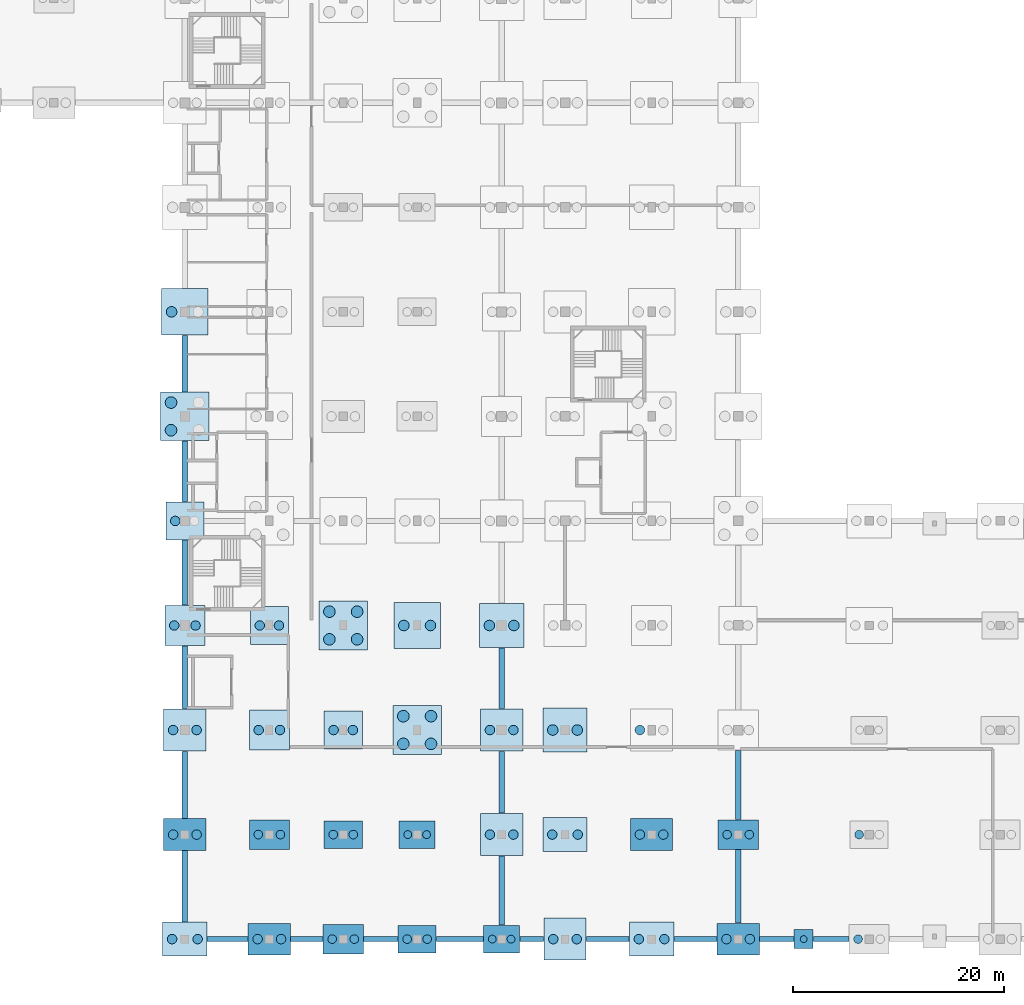
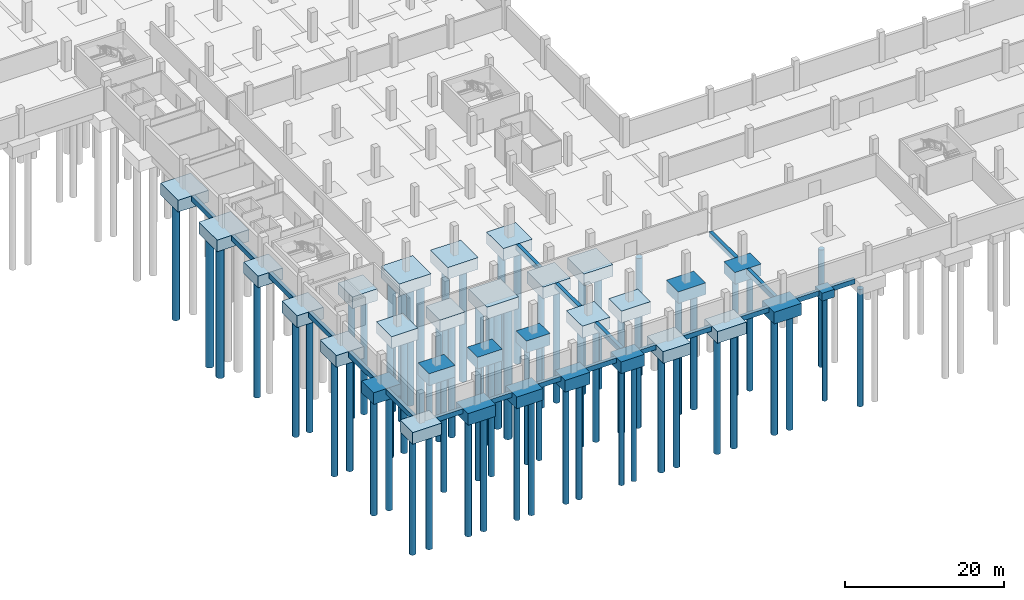
# One storey, part 1 of 30: 66 piles, 51 footings.
"""IFC4 building model written with IfcOpenShell, lengths in metres."""

from ifc_helpers import new_model, si_unit, direction, frame, origin, origin_2d, place, context, subcontext, project, spatial, rectangle, circle, extrude, material, layer, layer_set, material_profile, profile_set, type_object, element, save


model = new_model("IFC4")

# Units and contexts
model_context = context("Model", 3, precision=1e-05, world=origin(), true_north=direction((0.0, 1.0)))
body_context = subcontext(model_context, "Body", "Model", "MODEL_VIEW")
ifc_project = project(units=[si_unit("LENGTHUNIT", "METRE"), si_unit("AREAUNIT", "SQUARE_METRE"), si_unit("VOLUMEUNIT", "CUBIC_METRE"), si_unit("PLANEANGLEUNIT", "RADIAN"), si_unit("MASSUNIT", "GRAM", prefix="KILO")], contexts=[model_context])

# Site, building, storey
site_placement = place(None, origin())
site = spatial("IfcSite", under=ifc_project, at=site_placement, CompositionType="ELEMENT")
building_placement = place(site_placement, origin())
building = spatial("IfcBuilding", under=site, at=building_placement, Name="Sillaruma Civic Art Gallery", CompositionType="ELEMENT")
storey_placement = place(building_placement, frame((0.0, 0.0, -9.179931640625)))
storey = spatial("IfcBuildingStorey", under=building, at=storey_placement, Name="B02", CompositionType="ELEMENT", Elevation=-9.179931640625)

# Footings
ifc_material = material(Name="Concrete H35 (35 MPa)", Category="concrete")
ifc_material_profile_1 = material_profile(ifc_material, rectangle(XDim=0.449951171875, YDim=0.75, at=origin_2d()), Name="RCB450x750")
ifc_profile_set_1 = profile_set([ifc_material_profile_1], Name="Concrete H35 (35 MPa)")
footing_type_1 = type_object("IfcFootingType", Name="FTG-FB-450x750", PredefinedType="FOOTING_BEAM", material=ifc_profile_set_1)
footing_1_placement = place(storey_placement, frame((64.1201171875, 0.0, -0.375), z_axis=(1.0, 0.0, 0.0), x_axis=(0.0, 1.0, 0.0)))
element("IfcFooting", 1, at=footing_1_placement, inside=storey, type_object=footing_type_1, Name="Foundation Tie Beam FB-02 (1:F-G:1)", PredefinedType="FOOTING_BEAM", context=body_context, shape_type="SweptSolid", body=[
    extrude(rectangle(XDim=0.449951171875, YDim=0.75, at=origin_2d()), origin(), (0.0, 0.0, 1.0), 3.85986328125),
])
footing_2_placement = place(storey_placement, frame((72.02001953125, 0.0, -0.375), z_axis=(1.0, 0.0, 0.0), x_axis=(0.0, 1.0, 0.0)))
element("IfcFooting", 2, at=footing_2_placement, inside=storey, type_object=footing_type_1, Name="Foundation Tie Beam FB-02 (1:G-H:1)", PredefinedType="FOOTING_BEAM", context=body_context, shape_type="SweptSolid", body=[
    extrude(rectangle(XDim=0.449951171875, YDim=0.75, at=origin_2d()), origin(), (0.0, 0.0, 1.0), 3.06005859375),
])
footing_3_placement = place(storey_placement, frame((78.919921875, 0.0, -0.375), z_axis=(1.0, 0.0, 0.0), x_axis=(0.0, 1.0, 0.0)))
element("IfcFooting", 3, at=footing_3_placement, inside=storey, type_object=footing_type_1, Name="Foundation Tie Beam FB-02 (1:H-J:1)", PredefinedType="FOOTING_BEAM", context=body_context, shape_type="SweptSolid", body=[
    extrude(rectangle(XDim=0.449951171875, YDim=0.75, at=origin_2d()), origin(), (0.0, 0.0, 1.0), 3.260009765625),
])
footing_4_placement = place(storey_placement, frame((85.820068359375, 0.0, -0.375), z_axis=(1.0, 0.0, 0.0), x_axis=(0.0, 1.0, 0.0)))
element("IfcFooting", 4, at=footing_4_placement, inside=storey, type_object=footing_type_1, Name="Foundation Tie Beam FB-02 (1:J-K:1)", PredefinedType="FOOTING_BEAM", context=body_context, shape_type="SweptSolid", body=[
    extrude(rectangle(XDim=0.449951171875, YDim=0.75, at=origin_2d()), origin(), (0.0, 0.0, 1.0), 4.4599609375),
])
footing_5_placement = place(storey_placement, frame((93.719970703125, 0.0, -0.375), z_axis=(1.0, 0.0, 0.0), x_axis=(0.0, 1.0, 0.0)))
element("IfcFooting", 5, at=footing_5_placement, inside=storey, type_object=footing_type_1, Name="Foundation Tie Beam FB-02 (1:K-L:1)", PredefinedType="FOOTING_BEAM", context=body_context, shape_type="SweptSolid", body=[
    extrude(rectangle(XDim=0.449951171875, YDim=0.75, at=origin_2d()), origin(), (0.0, 0.0, 1.0), 2.260009765625),
])
footing_6_placement = place(storey_placement, frame((100.02001953125, 0.0, -0.375), z_axis=(1.0, 0.0, 0.0), x_axis=(0.0, 1.0, 0.0)))
element("IfcFooting", 6, at=footing_6_placement, inside=storey, type_object=footing_type_1, Name="Foundation Tie Beam FB-02 (1:L-M:1)", PredefinedType="FOOTING_BEAM", context=body_context, shape_type="SweptSolid", body=[
    extrude(rectangle(XDim=0.449951171875, YDim=0.75, at=origin_2d()), origin(), (0.0, 0.0, 1.0), 4.06005859375),
])
footing_7_placement = place(storey_placement, frame((108.320068359375, 0.0, -0.375), z_axis=(1.0, 0.0, 0.0), x_axis=(0.0, 1.0, 0.0)))
element("IfcFooting", 7, at=footing_7_placement, inside=storey, type_object=footing_type_1, Name="Foundation Tie Beam FB-02 (1:M-N:1)", PredefinedType="FOOTING_BEAM", context=body_context, shape_type="SweptSolid", body=[
    extrude(rectangle(XDim=0.449951171875, YDim=0.75, at=origin_2d()), origin(), (0.0, 0.0, 1.0), 4.059814453125),
])
footing_8_placement = place(storey_placement, frame((116.419921875, 0.0, -0.375), z_axis=(1.0, 0.0, 0.0), x_axis=(0.0, 1.0, 0.0)))
element("IfcFooting", 8, at=footing_8_placement, inside=storey, type_object=footing_type_1, Name="Foundation Tie Beam FB-02 (1:N-P:A)", PredefinedType="FOOTING_BEAM", context=body_context, shape_type="SweptSolid", body=[
    extrude(rectangle(XDim=0.449951171875, YDim=0.75, at=origin_2d()), origin(), (0.0, 0.0, 1.0), 3.260009765625),
])
footing_9_placement = place(storey_placement, frame((121.52001953125, 0.0, -0.375), z_axis=(1.0, 0.0, 0.0), x_axis=(0.0, 1.0, 0.0)))
element("IfcFooting", 9, at=footing_9_placement, inside=storey, type_object=footing_type_1, Name="Foundation Tie Beam FB-02 (1:N-P:B)", PredefinedType="FOOTING_BEAM", context=body_context, shape_type="SweptSolid", body=[
    extrude(rectangle(XDim=0.449951171875, YDim=0.75, at=origin_2d()), origin(), (0.0, 0.0, 1.0), 3.35986328125),
])
ifc_material_profile_2 = material_profile(ifc_material, rectangle(XDim=0.5, YDim=0.800048828125, at=origin_2d()), Name="RCB500x800")
ifc_profile_set_2 = profile_set([ifc_material_profile_2], Name="Concrete H35 (35 MPa)")
footing_type_2 = type_object("IfcFootingType", Name="FTG-FB-500x800", PredefinedType="FOOTING_BEAM", material=ifc_profile_set_2)
footing_10_placement = place(storey_placement, frame((62.0, 1.6201171875, -0.400146484375), z_axis=(0.0, 1.0, 0.0), x_axis=(-1.0, 0.0, 0.0)))
element("IfcFooting", 10, at=footing_10_placement, inside=storey, type_object=footing_type_2, Name="Foundation Tie Beam FB-01 (F:1-2)", PredefinedType="FOOTING_BEAM", context=body_context, shape_type="SweptSolid", body=[
    extrude(rectangle(XDim=0.5, YDim=0.800048828125, at=origin_2d()), origin(), (0.0, 0.0, 1.0), 6.759765625),
])
footing_11_placement = place(storey_placement, frame((62.0, 11.419921875, -0.400146484375), z_axis=(0.0, 1.0, 0.0), x_axis=(-1.0, 0.0, 0.0)))
element("IfcFooting", 11, at=footing_11_placement, inside=storey, type_object=footing_type_2, Name="Foundation Tie Beam FB-01 (F:2-3)", PredefinedType="FOOTING_BEAM", context=body_context, shape_type="SweptSolid", body=[
    extrude(rectangle(XDim=0.5, YDim=0.800048828125, at=origin_2d()), origin(), (0.0, 0.0, 1.0), 6.360107421875),
])
footing_12_placement = place(storey_placement, frame((62.0, 21.820068359375, -0.400146484375), z_axis=(0.0, 1.0, 0.0), x_axis=(-1.0, 0.0, 0.0)))
element("IfcFooting", 12, at=footing_12_placement, inside=storey, type_object=footing_type_2, Name="Foundation Tie Beam FB-01 (F:3-4)", PredefinedType="FOOTING_BEAM", context=body_context, shape_type="SweptSolid", body=[
    extrude(rectangle(XDim=0.5, YDim=0.800048828125, at=origin_2d()), origin(), (0.0, 0.0, 1.0), 5.9599609375),
])
footing_13_placement = place(storey_placement, frame((62.0, 31.6201171875, -0.400146484375), z_axis=(0.0, 1.0, 0.0), x_axis=(-1.0, 0.0, 0.0)))
element("IfcFooting", 13, at=footing_13_placement, inside=storey, type_object=footing_type_2, Name="Foundation Tie Beam FB-01 (F:4-5)", PredefinedType="FOOTING_BEAM", context=body_context, shape_type="SweptSolid", body=[
    extrude(rectangle(XDim=0.5, YDim=0.800048828125, at=origin_2d()), origin(), (0.0, 0.0, 1.0), 6.159912109375),
])
footing_14_placement = place(storey_placement, frame((62.0, 41.419921875, -0.400146484375), z_axis=(0.0, 1.0, 0.0), x_axis=(-1.0, 0.0, 0.0)))
element("IfcFooting", 14, at=footing_14_placement, inside=storey, type_object=footing_type_2, Name="Foundation Tie Beam FB-01 (F:5-6)", PredefinedType="FOOTING_BEAM", context=body_context, shape_type="SweptSolid", body=[
    extrude(rectangle(XDim=0.5, YDim=0.800048828125, at=origin_2d()), origin(), (0.0, 0.0, 1.0), 5.760009765625),
])
footing_15_placement = place(storey_placement, frame((62.0, 51.820068359375, -0.400146484375), z_axis=(0.0, 1.0, 0.0), x_axis=(-1.0, 0.0, 0.0)))
element("IfcFooting", 15, at=footing_15_placement, inside=storey, type_object=footing_type_2, Name="Foundation Tie Beam FB-01 (F:6-7)", PredefinedType="FOOTING_BEAM", context=body_context, shape_type="SweptSolid", body=[
    extrude(rectangle(XDim=0.5, YDim=0.800048828125, at=origin_2d()), origin(), (0.0, 0.0, 1.0), 5.35986328125),
])
footing_16_placement = place(storey_placement, frame((92.0, 1.320068359375, -0.400146484375), z_axis=(0.0, 1.0, 0.0), x_axis=(-1.0, 0.0, 0.0)))
element("IfcFooting", 16, at=footing_16_placement, inside=storey, type_object=footing_type_2, Name="Foundation Tie Beam FB-01 (K:1-2)", PredefinedType="FOOTING_BEAM", context=body_context, shape_type="SweptSolid", body=[
    extrude(rectangle(XDim=0.5, YDim=0.800048828125, at=origin_2d()), origin(), (0.0, 0.0, 1.0), 6.559814453125),
])
footing_17_placement = place(storey_placement, frame((92.0, 11.919921875, -0.400146484375), z_axis=(0.0, 1.0, 0.0), x_axis=(-1.0, 0.0, 0.0)))
element("IfcFooting", 17, at=footing_17_placement, inside=storey, type_object=footing_type_2, Name="Foundation Tie Beam FB-01 (K:2-3)", PredefinedType="FOOTING_BEAM", context=body_context, shape_type="SweptSolid", body=[
    extrude(rectangle(XDim=0.5, YDim=0.800048828125, at=origin_2d()), origin(), (0.0, 0.0, 1.0), 5.860107421875),
])
footing_18_placement = place(storey_placement, frame((92.0, 21.820068359375, -0.400146484375), z_axis=(0.0, 1.0, 0.0), x_axis=(-1.0, 0.0, 0.0)))
element("IfcFooting", 18, at=footing_18_placement, inside=storey, type_object=footing_type_2, Name="Foundation Tie Beam FB-01 (K:3-4)", PredefinedType="FOOTING_BEAM", context=body_context, shape_type="SweptSolid", body=[
    extrude(rectangle(XDim=0.5, YDim=0.800048828125, at=origin_2d()), origin(), (0.0, 0.0, 1.0), 5.760009765625),
])
footing_19_placement = place(storey_placement, frame((114.39990234375, 1.52001953125, -0.400146484375), z_axis=(0.0, 1.0, 0.0), x_axis=(-1.0, 0.0, 0.0)))
element("IfcFooting", 19, at=footing_19_placement, inside=storey, type_object=footing_type_2, Name="Foundation Tie Beam FB-01 (N:1-2)", PredefinedType="FOOTING_BEAM", context=body_context, shape_type="SweptSolid", body=[
    extrude(rectangle(XDim=0.5, YDim=0.800048828125, at=origin_2d()), origin(), (0.0, 0.0, 1.0), 6.9599609375),
])
footing_20_placement = place(storey_placement, frame((114.39990234375, 11.320068359375, -0.400146484375), z_axis=(0.0, 1.0, 0.0), x_axis=(-1.0, 0.0, 0.0)))
element("IfcFooting", 20, at=footing_20_placement, inside=storey, type_object=footing_type_2, Name="Foundation Tie Beam FB-01 (N:2-3)", PredefinedType="FOOTING_BEAM", context=body_context, shape_type="SweptSolid", body=[
    extrude(rectangle(XDim=0.5, YDim=0.800048828125, at=origin_2d()), origin(), (0.0, 0.0, 1.0), 6.559814453125),
])
ifc_layer_1 = layer(ifc_material, 1.199951171875, Name="Concrete H35 (35 MPa)")
ifc_layer_set_1 = layer_set([ifc_layer_1], Name="Concrete H35 (35 MPa)")
footing_type_3 = type_object("IfcFootingType", Name="FTG-PAD-18x18", PredefinedType="PAD_FOOTING", material=ifc_layer_set_1)
footing_21_placement = place(storey_placement, frame((120.60009765625, 0.0, -1.2001953125), z_axis=(0.0, 0.0, 1.0), x_axis=(1.0, 0.0, 0.0)))
element("IfcFooting", 21, at=footing_21_placement, inside=storey, type_object=footing_type_3, Name="Shoring Pile Cap PF-03 (04)", PredefinedType="PAD_FOOTING", context=body_context, shape_type="SweptSolid", body=[
    extrude(rectangle(XDim=1.800048828125, YDim=1.800048828125, at=origin_2d()), origin(), (0.0, 0.0, 1.0), 1.199951171875),
])
ifc_layer_2 = layer(ifc_material, 1.800048828125, Name="Concrete H35 (35 MPa)")
ifc_layer_set_2 = layer_set([ifc_layer_2], Name="Concrete H35 (35 MPa)")
footing_type_4 = type_object("IfcFootingType", Name="FTG-PC-34x26", PredefinedType="PILE_CAP", material=ifc_layer_set_2)
for number, where, z_axis, x_axis, name in (
    (22, (84.0, 9.89990234375, -1.80029296875), (0.0, 0.0, 1.0), (1.0, 0.0, 0.0), "Pile Cap PC-12 (J2)"),
    (23, (92.0, 0.0, -1.80029296875), (0.0, 0.0, 1.0), (1.0, 0.0, 0.0), "Pile Cap PC-12 (K1)"),
):
    element("IfcFooting", number, at=place(storey_placement, frame(where, z_axis=z_axis, x_axis=x_axis)), inside=storey, type_object=footing_type_4, Name=name, PredefinedType="PILE_CAP", context=body_context, shape_type="SweptSolid", body=[
        extrude(rectangle(XDim=3.39990234375, YDim=2.60009765625, at=origin_2d()), origin(), (0.0, 0.0, 1.0), 1.800048828125),
    ])
ifc_layer_3 = layer(ifc_material, 1.800048828125, Name="Concrete H35 (35 MPa)")
ifc_layer_set_3 = layer_set([ifc_layer_3], Name="Concrete H35 (35 MPa)")
footing_type_5 = type_object("IfcFootingType", Name="FTG-PC-36x26", PredefinedType="PILE_CAP", material=ifc_layer_set_3)
for number, where, z_axis, x_axis, name in (
    (24, (77.0, 9.89990234375, -1.80029296875), (0.0, 0.0, 1.0), (1.0, 0.0, 0.0), "Pile Cap PC-11 (H2)"),
    (25, (84.0, 0.0, -1.80029296875), (0.0, 0.0, 1.0), (1.0, 0.0, 0.0), "Pile Cap PC-11 (J1)"),
):
    element("IfcFooting", number, at=place(storey_placement, frame(where, z_axis=z_axis, x_axis=x_axis)), inside=storey, type_object=footing_type_5, Name=name, PredefinedType="PILE_CAP", context=body_context, shape_type="SweptSolid", body=[
        extrude(rectangle(XDim=3.60009765625, YDim=2.60009765625, at=origin_2d()), origin(), (0.0, 0.0, 1.0), 1.800048828125),
    ])
ifc_layer_4 = layer(ifc_material, 1.800048828125, Name="Concrete H35 (35 MPa)")
ifc_layer_set_4 = layer_set([ifc_layer_4], Name="Concrete H35 (35 MPa)")
footing_type_6 = type_object("IfcFootingType", Name="FTG-PC-36x36", PredefinedType="PILE_CAP", material=ifc_layer_set_4)
for number, where, z_axis, x_axis, name in (
    (26, (62.0, 39.60009765625, -1.80029296875), (0.0, 0.0, 1.0), (1.0, 0.0, 0.0), "Pile Cap PC-06 (F5)"),
    (27, (70.0, 29.699951171875, -1.80029296875), (0.0, 0.0, 1.0), (1.0, 0.0, 0.0), "Pile Cap PC-06 (G4)"),
    (28, (77.0, 19.800048828125, -1.80029296875), (0.0, 0.0, 1.0), (1.0, 0.0, 0.0), "Pile Cap PC-06 (H3)"),
):
    element("IfcFooting", number, at=place(storey_placement, frame(where, z_axis=z_axis, x_axis=x_axis)), inside=storey, type_object=footing_type_6, Name=name, PredefinedType="PILE_CAP", context=body_context, shape_type="SweptSolid", body=[
        extrude(rectangle(XDim=3.60009765625, YDim=3.60009765625, at=origin_2d()), origin(), (0.0, 0.0, 1.0), 1.800048828125),
    ])
ifc_layer_5 = layer(ifc_material, 1.800048828125, Name="Concrete H35 (35 MPa)")
ifc_layer_set_5 = layer_set([ifc_layer_5], Name="Concrete H35 (35 MPa)")
footing_type_7 = type_object("IfcFootingType", Name="FTG-PC-38x28", PredefinedType="PILE_CAP", material=ifc_layer_set_5)
for number, where, z_axis, x_axis, name in (
    (29, (70.0, 9.89990234375, -1.80029296875), (0.0, 0.0, 1.0), (1.0, 0.0, 0.0), "Pile Cap PC-10 (G2)"),
    (30, (77.0, 0.0, -1.80029296875), (0.0, 0.0, 1.0), (1.0, 0.0, 0.0), "Pile Cap PC-10 (H1)"),
    (31, (114.39990234375, 9.89990234375, -1.80029296875), (0.0, 0.0, 1.0), (1.0, 0.0, 0.0), "Pile Cap PC-10 (N2)"),
):
    element("IfcFooting", number, at=place(storey_placement, frame(where, z_axis=z_axis, x_axis=x_axis)), inside=storey, type_object=footing_type_7, Name=name, PredefinedType="PILE_CAP", context=body_context, shape_type="SweptSolid", body=[
        extrude(rectangle(XDim=3.800048828125, YDim=2.800048828125, at=origin_2d()), origin(), (0.0, 0.0, 1.0), 1.800048828125),
    ])
ifc_layer_6 = layer(ifc_material, 1.800048828125, Name="Concrete H35 (35 MPa)")
ifc_layer_set_6 = layer_set([ifc_layer_6], Name="Concrete H35 (35 MPa)")
footing_type_8 = type_object("IfcFootingType", Name="FTG-PC-38x38", PredefinedType="PILE_CAP", material=ifc_layer_set_6)
for number, where, z_axis, x_axis, name in (
    (32, (62.0, 29.699951171875, -1.80029296875), (0.0, 0.0, 1.0), (1.0, 0.0, 0.0), "Pile Cap PC-05 (F4)"),
    (33, (70.0, 19.800048828125, -1.80029296875), (0.0, 0.0, 1.0), (1.0, 0.0, 0.0), "Pile Cap PC-05 (G3)"),
):
    element("IfcFooting", number, at=place(storey_placement, frame(where, z_axis=z_axis, x_axis=x_axis)), inside=storey, type_object=footing_type_8, Name=name, PredefinedType="PILE_CAP", context=body_context, shape_type="SweptSolid", body=[
        extrude(rectangle(XDim=3.800048828125, YDim=3.800048828125, at=origin_2d()), origin(), (0.0, 0.0, 1.0), 1.800048828125),
    ])
ifc_layer_7 = layer(ifc_material, 1.800048828125, Name="Concrete H35 (35 MPa)")
ifc_layer_set_7 = layer_set([ifc_layer_7], Name="Concrete H35 (35 MPa)")
footing_type_9 = type_object("IfcFootingType", Name="FTG-PC-40x30", PredefinedType="PILE_CAP", material=ifc_layer_set_7)
for number, where, z_axis, x_axis, name in (
    (34, (62.0, 9.89990234375, -1.80029296875), (0.0, 0.0, 1.0), (1.0, 0.0, 0.0), "Pile Cap PC-09 (F2)"),
    (35, (70.0, 0.0, -1.80029296875), (0.0, 0.0, 1.0), (1.0, 0.0, 0.0), "Pile Cap PC-09 (G1)"),
    (36, (106.199951171875, 9.89990234375, -1.80029296875), (0.0, 0.0, 1.0), (1.0, 0.0, 0.0), "Pile Cap PC-09 (M2)"),
    (37, (114.39990234375, 0.0, -1.80029296875), (0.0, 0.0, 1.0), (1.0, 0.0, 0.0), "Pile Cap PC-09 (N1)"),
):
    element("IfcFooting", number, at=place(storey_placement, frame(where, z_axis=z_axis, x_axis=x_axis)), inside=storey, type_object=footing_type_9, Name=name, PredefinedType="PILE_CAP", context=body_context, shape_type="SweptSolid", body=[
        extrude(rectangle(XDim=4.0, YDim=3.0, at=origin_2d()), origin(), (0.0, 0.0, 1.0), 1.800048828125),
    ])
ifc_layer_8 = layer(ifc_material, 1.800048828125, Name="Concrete H35 (35 MPa)")
ifc_layer_set_8 = layer_set([ifc_layer_8], Name="Concrete H35 (35 MPa)")
footing_type_10 = type_object("IfcFootingType", Name="FTG-PC-40x40", PredefinedType="PILE_CAP", material=ifc_layer_set_8)
for number, where, z_axis, x_axis, name in (
    (38, (62.0, 19.800048828125, -1.80029296875), (0.0, 0.0, 1.0), (1.0, 0.0, 0.0), "Pile Cap PC-04 (F3)"),
    (39, (92.0, 9.89990234375, -1.80029296875), (0.0, 0.0, 1.0), (1.0, 0.0, 0.0), "Pile Cap PC-04 (K2)"),
    (40, (92.0, 19.800048828125, -1.80029296875), (0.0, 0.0, 1.0), (1.0, 0.0, 0.0), "Pile Cap PC-04 (K3)"),
    (41, (98.0, 0.0, -1.80029296875), (0.0, 0.0, 1.0), (1.0, 0.0, 0.0), "Pile Cap PC-04 (L1)"),
):
    element("IfcFooting", number, at=place(storey_placement, frame(where, z_axis=z_axis, x_axis=x_axis)), inside=storey, type_object=footing_type_10, Name=name, PredefinedType="PILE_CAP", context=body_context, shape_type="SweptSolid", body=[
        extrude(rectangle(XDim=4.0, YDim=4.0, at=origin_2d()), origin(), (0.0, 0.0, 1.0), 1.800048828125),
    ])
ifc_layer_9 = layer(ifc_material, 1.800048828125, Name="Concrete H35 (35 MPa)")
ifc_layer_set_9 = layer_set([ifc_layer_9], Name="Concrete H35 (35 MPa)")
footing_type_11 = type_object("IfcFootingType", Name="FTG-PC-42x32", PredefinedType="PILE_CAP", material=ifc_layer_set_9)
for number, where, z_axis, x_axis, name in (
    (42, (62.0, 0.0, -1.80029296875), (0.0, 0.0, 1.0), (1.0, 0.0, 0.0), "Pile Cap PC-08 (F1)"),
    (43, (98.0, 9.89990234375, -1.80029296875), (0.0, 0.0, 1.0), (1.0, 0.0, 0.0), "Pile Cap PC-08 (L2)"),
    (44, (106.199951171875, 0.0, -1.80029296875), (0.0, 0.0, 1.0), (1.0, 0.0, 0.0), "Pile Cap PC-08 (M1)"),
):
    element("IfcFooting", number, at=place(storey_placement, frame(where, z_axis=z_axis, x_axis=x_axis)), inside=storey, type_object=footing_type_11, Name=name, PredefinedType="PILE_CAP", context=body_context, shape_type="SweptSolid", body=[
        extrude(rectangle(XDim=4.199951171875, YDim=3.199951171875, at=origin_2d()), origin(), (0.0, 0.0, 1.0), 1.800048828125),
    ])
ifc_layer_10 = layer(ifc_material, 1.800048828125, Name="Concrete H35 (35 MPa)")
ifc_layer_set_10 = layer_set([ifc_layer_10], Name="Concrete H35 (35 MPa)")
footing_type_12 = type_object("IfcFootingType", Name="FTG-PC-42x42", PredefinedType="PILE_CAP", material=ifc_layer_set_10)
for number, where, z_axis, x_axis, name in (
    (45, (92.0, 29.699951171875, -1.80029296875), (0.0, 0.0, 1.0), (1.0, 0.0, 0.0), "Pile Cap PC-03 (K4)"),
    (46, (98.0, 19.800048828125, -1.80029296875), (0.0, 0.0, 1.0), (1.0, 0.0, 0.0), "Pile Cap PC-03 (L3)"),
):
    element("IfcFooting", number, at=place(storey_placement, frame(where, z_axis=z_axis, x_axis=x_axis)), inside=storey, type_object=footing_type_12, Name=name, PredefinedType="PILE_CAP", context=body_context, shape_type="SweptSolid", body=[
        extrude(rectangle(XDim=4.199951171875, YDim=4.199951171875, at=origin_2d()), origin(), (0.0, 0.0, 1.0), 1.800048828125),
    ])
ifc_layer_11 = layer(ifc_material, 1.800048828125, Name="Concrete H35 (35 MPa)")
ifc_layer_set_11 = layer_set([ifc_layer_11], Name="Concrete H35 (35 MPa)")
footing_type_13 = type_object("IfcFootingType", Name="FTG-PC-44x44", PredefinedType="PILE_CAP", material=ifc_layer_set_11)
for number, where, z_axis, x_axis, name in (
    (47, (62.0, 59.39990234375, -1.80029296875), (0.0, 0.0, 1.0), (1.0, 0.0, 0.0), "Pile Cap PC-02 (F7)"),
    (48, (84.0, 29.699951171875, -1.80029296875), (0.0, 0.0, 1.0), (1.0, 0.0, 0.0), "Pile Cap PC-02 (J4)"),
):
    element("IfcFooting", number, at=place(storey_placement, frame(where, z_axis=z_axis, x_axis=x_axis)), inside=storey, type_object=footing_type_13, Name=name, PredefinedType="PILE_CAP", context=body_context, shape_type="SweptSolid", body=[
        extrude(rectangle(XDim=4.39990234375, YDim=4.39990234375, at=origin_2d()), origin(), (0.0, 0.0, 1.0), 1.800048828125),
    ])
ifc_layer_12 = layer(ifc_material, 1.800048828125, Name="Concrete H35 (35 MPa)")
ifc_layer_set_12 = layer_set([ifc_layer_12], Name="Concrete H35 (35 MPa)")
footing_type_14 = type_object("IfcFootingType", Name="FTG-PC-46x46", PredefinedType="PILE_CAP", material=ifc_layer_set_12)
for number, where, z_axis, x_axis, name in (
    (49, (62.0, 49.5, -1.80029296875), (0.0, 0.0, 1.0), (1.0, 0.0, 0.0), "Pile Cap PC-01 (F6)"),
    (50, (77.0, 29.699951171875, -1.80029296875), (0.0, 0.0, 1.0), (1.0, 0.0, 0.0), "Pile Cap PC-01 (H4)"),
    (51, (84.0, 19.800048828125, -1.80029296875), (0.0, 0.0, 1.0), (1.0, 0.0, 0.0), "Pile Cap PC-01 (J3)"),
):
    element("IfcFooting", number, at=place(storey_placement, frame(where, z_axis=z_axis, x_axis=x_axis)), inside=storey, type_object=footing_type_14, Name=name, PredefinedType="PILE_CAP", context=body_context, shape_type="SweptSolid", body=[
        extrude(rectangle(XDim=4.60009765625, YDim=4.60009765625, at=origin_2d()), origin(), (0.0, 0.0, 1.0), 1.800048828125),
    ])

# Piles
ifc_material_profile_3 = material_profile(ifc_material, circle(Radius=0.5, at=origin_2d()), Name="PILE1000")
ifc_profile_set_3 = profile_set([ifc_material_profile_3], Name="Concrete H35 (35 MPa)")
pile_type_1 = type_object("IfcPileType", Name="PIL-BORED-PILE1000", PredefinedType="BORED", material=ifc_profile_set_3)
for number, where, z_axis, x_axis, name in (
    (52, (60.739990234375, 59.39990234375, -1.800048828125), (0.0, 0.0, -1.0), (1.0, 0.0, 0.0), "Bored Pile PL-B1000 (F7-1)"),
    (53, (82.739990234375, 29.699951171875, -1.800048828125), (0.0, 0.0, -1.0), (1.0, 0.0, 0.0), "Bored Pile PL-B1000 (J4-1)"),
    (54, (85.260009765625, 29.699951171875, -1.800048828125), (0.0, 0.0, -1.0), (1.0, 0.0, 0.0), "Bored Pile PL-B1000 (J4-2)"),
    (55, (90.840087890625, 29.699951171875, -1.800048828125), (0.0, 0.0, -1.0), (1.0, 0.0, 0.0), "Bored Pile PL-B1000 (K4-1)"),
    (56, (93.159912109375, 29.699951171875, -1.800048828125), (0.0, 0.0, -1.0), (1.0, 0.0, 0.0), "Bored Pile PL-B1000 (K4-2)"),
    (57, (96.840087890625, 19.800048828125, -1.800048828125), (0.0, 0.0, -1.0), (1.0, 0.0, 0.0), "Bored Pile PL-B1000 (L3-1)"),
    (58, (99.159912109375, 19.800048828125, -1.800048828125), (0.0, 0.0, -1.0), (1.0, 0.0, 0.0), "Bored Pile PL-B1000 (L3-2)"),
):
    element("IfcPile", number, at=place(storey_placement, frame(where, z_axis=z_axis, x_axis=x_axis)), inside=storey, type_object=pile_type_1, Name=name, PredefinedType="BORED", context=body_context, shape_type="SweptSolid", body=[
        extrude(circle(Radius=0.5, at=origin_2d()), origin(), (0.0, 0.0, 1.0), 18.0),
    ])
ifc_material_profile_4 = material_profile(ifc_material, circle(Radius=0.550048828125, at=origin_2d()), Name="PILE1100")
ifc_profile_set_4 = profile_set([ifc_material_profile_4], Name="Concrete H35 (35 MPa)")
pile_type_2 = type_object("IfcPileType", Name="PIL-BORED-PILE1100", PredefinedType="BORED", material=ifc_profile_set_4)
for number, where, z_axis, x_axis, name in (
    (59, (60.68994140625, 48.18994140625, -1.800048828125), (0.0, 0.0, -1.0), (1.0, 0.0, 0.0), "Bored Pile PL-B1100 (F6-1)"),
    (60, (60.68994140625, 50.81005859375, -1.800048828125), (0.0, 0.0, -1.0), (1.0, 0.0, 0.0), "Bored Pile PL-B1100 (F6-3)"),
    (61, (75.68994140625, 28.389892578125, -1.800048828125), (0.0, 0.0, -1.0), (1.0, 0.0, 0.0), "Bored Pile PL-B1100 (H4-1)"),
    (62, (78.31005859375, 28.389892578125, -1.800048828125), (0.0, 0.0, -1.0), (1.0, 0.0, 0.0), "Bored Pile PL-B1100 (H4-2)"),
    (63, (75.68994140625, 31.010009765625, -1.800048828125), (0.0, 0.0, -1.0), (1.0, 0.0, 0.0), "Bored Pile PL-B1100 (H4-3)"),
    (64, (78.31005859375, 31.010009765625, -1.800048828125), (0.0, 0.0, -1.0), (1.0, 0.0, 0.0), "Bored Pile PL-B1100 (H4-4)"),
    (65, (82.68994140625, 18.489990234375, -1.800048828125), (0.0, 0.0, -1.0), (1.0, 0.0, 0.0), "Bored Pile PL-B1100 (J3-1)"),
    (66, (85.31005859375, 18.489990234375, -1.800048828125), (0.0, 0.0, -1.0), (1.0, 0.0, 0.0), "Bored Pile PL-B1100 (J3-2)"),
    (67, (82.68994140625, 21.110107421875, -1.800048828125), (0.0, 0.0, -1.0), (1.0, 0.0, 0.0), "Bored Pile PL-B1100 (J3-3)"),
    (68, (85.31005859375, 21.110107421875, -1.800048828125), (0.0, 0.0, -1.0), (1.0, 0.0, 0.0), "Bored Pile PL-B1100 (J3-4)"),
):
    element("IfcPile", number, at=place(storey_placement, frame(where, z_axis=z_axis, x_axis=x_axis)), inside=storey, type_object=pile_type_2, Name=name, PredefinedType="BORED", context=body_context, shape_type="SweptSolid", body=[
        extrude(circle(Radius=0.550048828125, at=origin_2d()), origin(), (0.0, 0.0, 1.0), 20.0),
    ])
ifc_material_profile_5 = material_profile(ifc_material, circle(Radius=0.3701171875, at=origin_2d()), Name="PILE740")
ifc_profile_set_5 = profile_set([ifc_material_profile_5], Name="Concrete H35 (35 MPa)")
pile_type_3 = type_object("IfcPileType", Name="PIL-BORED-PILE740", PredefinedType="BORED", material=ifc_profile_set_5)
for number, where, z_axis, x_axis, name in (
    (69, (83.110107421875, 9.89990234375, -1.800048828125), (0.0, 0.0, -1.0), (1.0, 0.0, 0.0), "Bored Pile PL-B740 (J2-1)"),
    (70, (84.889892578125, 9.89990234375, -1.800048828125), (0.0, 0.0, -1.0), (1.0, 0.0, 0.0), "Bored Pile PL-B740 (J2-2)"),
    (71, (91.110107421875, 0.0, -1.800048828125), (0.0, 0.0, -1.0), (1.0, 0.0, 0.0), "Bored Pile PL-B740 (K1-1)"),
    (72, (92.889892578125, 0.0, -1.800048828125), (0.0, 0.0, -1.0), (1.0, 0.0, 0.0), "Bored Pile PL-B740 (K1-2)"),
):
    element("IfcPile", number, at=place(storey_placement, frame(where, z_axis=z_axis, x_axis=x_axis)), inside=storey, type_object=pile_type_3, Name=name, PredefinedType="BORED", context=body_context, shape_type="SweptSolid", body=[
        extrude(circle(Radius=0.3701171875, at=origin_2d()), origin(), (0.0, 0.0, 1.0), 18.0),
    ])
ifc_material_profile_6 = material_profile(ifc_material, circle(Radius=0.409912109375, at=origin_2d()), Name="PILE820")
ifc_profile_set_6 = profile_set([ifc_material_profile_6], Name="Concrete H35 (35 MPa)")
pile_type_4 = type_object("IfcPileType", Name="PIL-BORED-PILE820", PredefinedType="BORED", material=ifc_profile_set_6)
for number, where, z_axis, x_axis, name in (
    (73, (68.949951171875, 9.89990234375, -1.800048828125), (0.0, 0.0, -1.0), (1.0, 0.0, 0.0), "Bored Pile PL-B820 (G2-1)"),
    (74, (71.050048828125, 9.89990234375, -1.800048828125), (0.0, 0.0, -1.0), (1.0, 0.0, 0.0), "Bored Pile PL-B820 (G2-2)"),
    (75, (75.949951171875, 0.0, -1.800048828125), (0.0, 0.0, -1.0), (1.0, 0.0, 0.0), "Bored Pile PL-B820 (H1-1)"),
    (76, (78.050048828125, 0.0, -1.800048828125), (0.0, 0.0, -1.0), (1.0, 0.0, 0.0), "Bored Pile PL-B820 (H1-2)"),
    (77, (76.050048828125, 9.89990234375, -1.800048828125), (0.0, 0.0, -1.0), (1.0, 0.0, 0.0), "Bored Pile PL-B820 (H2-1)"),
    (78, (77.949951171875, 9.89990234375, -1.800048828125), (0.0, 0.0, -1.0), (1.0, 0.0, 0.0), "Bored Pile PL-B820 (H2-2)"),
    (79, (83.050048828125, 0.0, -1.800048828125), (0.0, 0.0, -1.0), (1.0, 0.0, 0.0), "Bored Pile PL-B820 (J1-1)"),
    (80, (84.949951171875, 0.0, -1.800048828125), (0.0, 0.0, -1.0), (1.0, 0.0, 0.0), "Bored Pile PL-B820 (J1-2)"),
    (81, (113.35009765625, 9.89990234375, -1.800048828125), (0.0, 0.0, -1.0), (1.0, 0.0, 0.0), "Bored Pile PL-B820 (N2-1)"),
    (82, (115.449951171875, 9.89990234375, -1.800048828125), (0.0, 0.0, -1.0), (1.0, 0.0, 0.0), "Bored Pile PL-B820 (N2-2)"),
    (83, (125.75, 0.0, -1.800048828125), (0.0, 0.0, -1.0), (1.0, 0.0, 0.0), "Bored Pile PL-B820 (P1-1)"),
    (84, (125.85009765625, 9.89990234375, -1.800048828125), (0.0, 0.0, -1.0), (1.0, 0.0, 0.0), "Bored Pile PL-B820 (P2-1)"),
):
    element("IfcPile", number, at=place(storey_placement, frame(where, z_axis=z_axis, x_axis=x_axis)), inside=storey, type_object=pile_type_4, Name=name, PredefinedType="BORED", context=body_context, shape_type="SweptSolid", body=[
        extrude(circle(Radius=0.409912109375, at=origin_2d()), origin(), (0.0, 0.0, 1.0), 18.0),
    ])
ifc_material_profile_7 = material_profile(ifc_material, circle(Radius=0.449951171875, at=origin_2d()), Name="PILE900")
ifc_profile_set_7 = profile_set([ifc_material_profile_7], Name="Concrete H35 (35 MPa)")
pile_type_5 = type_object("IfcPileType", Name="PIL-BORED-PILE900", PredefinedType="BORED", material=ifc_profile_set_7)
for number, where, z_axis, x_axis, name in (
    (85, (60.7900390625, 0.0, -1.800048828125), (0.0, 0.0, -1.0), (1.0, 0.0, 0.0), "Bored Pile PL-B900 (F1-1)"),
    (86, (63.2099609375, 0.0, -1.800048828125), (0.0, 0.0, -1.0), (1.0, 0.0, 0.0), "Bored Pile PL-B900 (F1-2)"),
    (87, (60.889892578125, 9.89990234375, -1.800048828125), (0.0, 0.0, -1.0), (1.0, 0.0, 0.0), "Bored Pile PL-B900 (F2-1)"),
    (88, (63.110107421875, 9.89990234375, -1.800048828125), (0.0, 0.0, -1.0), (1.0, 0.0, 0.0), "Bored Pile PL-B900 (F2-2)"),
    (89, (60.889892578125, 19.800048828125, -1.800048828125), (0.0, 0.0, -1.0), (1.0, 0.0, 0.0), "Bored Pile PL-B900 (F3-1)"),
    (90, (63.110107421875, 19.800048828125, -1.800048828125), (0.0, 0.0, -1.0), (1.0, 0.0, 0.0), "Bored Pile PL-B900 (F3-2)"),
    (91, (60.989990234375, 29.699951171875, -1.800048828125), (0.0, 0.0, -1.0), (1.0, 0.0, 0.0), "Bored Pile PL-B900 (F4-1)"),
    (92, (63.010009765625, 29.699951171875, -1.800048828125), (0.0, 0.0, -1.0), (1.0, 0.0, 0.0), "Bored Pile PL-B900 (F4-2)"),
    (93, (61.090087890625, 39.60009765625, -1.800048828125), (0.0, 0.0, -1.0), (1.0, 0.0, 0.0), "Bored Pile PL-B900 (F5-1)"),
    (94, (68.889892578125, 0.0, -1.800048828125), (0.0, 0.0, -1.0), (1.0, 0.0, 0.0), "Bored Pile PL-B900 (G1-1)"),
    (95, (71.110107421875, 0.0, -1.800048828125), (0.0, 0.0, -1.0), (1.0, 0.0, 0.0), "Bored Pile PL-B900 (G1-2)"),
    (96, (68.989990234375, 19.800048828125, -1.800048828125), (0.0, 0.0, -1.0), (1.0, 0.0, 0.0), "Bored Pile PL-B900 (G3-1)"),
    (97, (71.010009765625, 19.800048828125, -1.800048828125), (0.0, 0.0, -1.0), (1.0, 0.0, 0.0), "Bored Pile PL-B900 (G3-2)"),
    (98, (69.090087890625, 29.699951171875, -1.800048828125), (0.0, 0.0, -1.0), (1.0, 0.0, 0.0), "Bored Pile PL-B900 (G4-1)"),
    (99, (70.909912109375, 29.699951171875, -1.800048828125), (0.0, 0.0, -1.0), (1.0, 0.0, 0.0), "Bored Pile PL-B900 (G4-2)"),
    (100, (76.090087890625, 19.800048828125, -1.800048828125), (0.0, 0.0, -1.0), (1.0, 0.0, 0.0), "Bored Pile PL-B900 (H3-1)"),
    (101, (77.909912109375, 19.800048828125, -1.800048828125), (0.0, 0.0, -1.0), (1.0, 0.0, 0.0), "Bored Pile PL-B900 (H3-2)"),
    (102, (90.889892578125, 9.89990234375, -1.800048828125), (0.0, 0.0, -1.0), (1.0, 0.0, 0.0), "Bored Pile PL-B900 (K2-1)"),
    (103, (93.110107421875, 9.89990234375, -1.800048828125), (0.0, 0.0, -1.0), (1.0, 0.0, 0.0), "Bored Pile PL-B900 (K2-2)"),
    (104, (90.889892578125, 19.800048828125, -1.800048828125), (0.0, 0.0, -1.0), (1.0, 0.0, 0.0), "Bored Pile PL-B900 (K3-1)"),
    (105, (93.110107421875, 19.800048828125, -1.800048828125), (0.0, 0.0, -1.0), (1.0, 0.0, 0.0), "Bored Pile PL-B900 (K3-2)"),
    (106, (96.889892578125, 0.0, -1.800048828125), (0.0, 0.0, -1.0), (1.0, 0.0, 0.0), "Bored Pile PL-B900 (L1-1)"),
    (107, (99.110107421875, 0.0, -1.800048828125), (0.0, 0.0, -1.0), (1.0, 0.0, 0.0), "Bored Pile PL-B900 (L1-2)"),
    (108, (96.7900390625, 9.89990234375, -1.800048828125), (0.0, 0.0, -1.0), (1.0, 0.0, 0.0), "Bored Pile PL-B900 (L2-1)"),
    (109, (99.2099609375, 9.89990234375, -1.800048828125), (0.0, 0.0, -1.0), (1.0, 0.0, 0.0), "Bored Pile PL-B900 (L2-2)"),
    (110, (104.989990234375, 0.0, -1.800048828125), (0.0, 0.0, -1.0), (1.0, 0.0, 0.0), "Bored Pile PL-B900 (M1-1)"),
    (111, (107.409912109375, 0.0, -1.800048828125), (0.0, 0.0, -1.0), (1.0, 0.0, 0.0), "Bored Pile PL-B900 (M1-2)"),
    (112, (105.090087890625, 9.89990234375, -1.800048828125), (0.0, 0.0, -1.0), (1.0, 0.0, 0.0), "Bored Pile PL-B900 (M2-1)"),
    (113, (107.31005859375, 9.89990234375, -1.800048828125), (0.0, 0.0, -1.0), (1.0, 0.0, 0.0), "Bored Pile PL-B900 (M2-2)"),
    (114, (105.090087890625, 19.800048828125, -1.800048828125), (0.0, 0.0, -1.0), (1.0, 0.0, 0.0), "Bored Pile PL-B900 (M3-1)"),
    (115, (113.2900390625, 0.0, -1.800048828125), (0.0, 0.0, -1.0), (1.0, 0.0, 0.0), "Bored Pile PL-B900 (N1-1)"),
    (116, (115.510009765625, 0.0, -1.800048828125), (0.0, 0.0, -1.0), (1.0, 0.0, 0.0), "Bored Pile PL-B900 (N1-2)"),
):
    element("IfcPile", number, at=place(storey_placement, frame(where, z_axis=z_axis, x_axis=x_axis)), inside=storey, type_object=pile_type_5, Name=name, PredefinedType="BORED", context=body_context, shape_type="SweptSolid", body=[
        extrude(circle(Radius=0.449951171875, at=origin_2d()), origin(), (0.0, 0.0, 1.0), 18.0),
    ])
ifc_material_profile_8 = material_profile(ifc_material, circle(Radius=0.324951171875, at=origin_2d()), Name="PILE650")
ifc_profile_set_8 = profile_set([ifc_material_profile_8], Name="Concrete H35 (35 MPa)")
pile_type_6 = type_object("IfcPileType", Name="PIL-SUPPORT-PILE650", PredefinedType="SUPPORT", material=ifc_profile_set_8)
pile_placement = place(storey_placement, frame((120.60009765625, 0.0, -1.199951171875), z_axis=(0.0, 0.0, -1.0), x_axis=(1.0, 0.0, 0.0)))
element("IfcPile", 117, at=pile_placement, inside=storey, type_object=pile_type_6, Name="Shoring Support Pile PL-S650 (04)", PredefinedType="SUPPORT", context=body_context, shape_type="SweptSolid", body=[
    extrude(circle(Radius=0.324951171875, at=origin_2d()), origin(), (0.0, 0.0, 1.0), 16.0),
])

save(model, "model.ifc")
